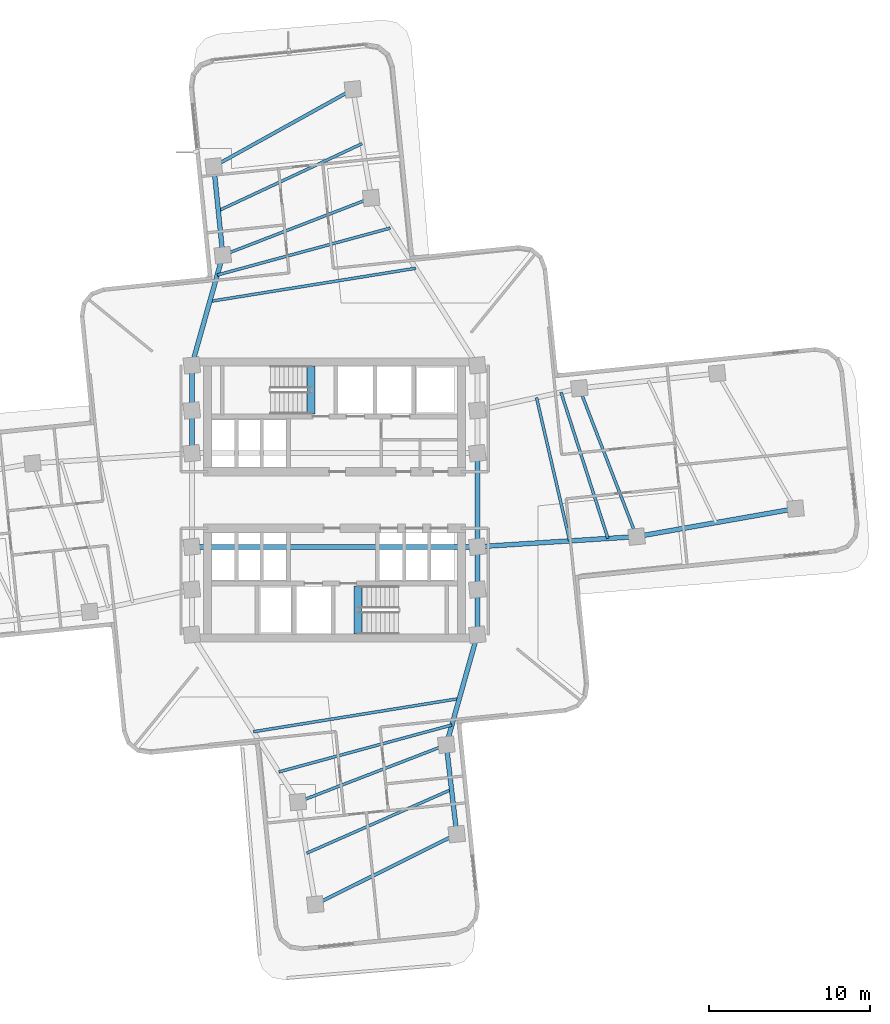
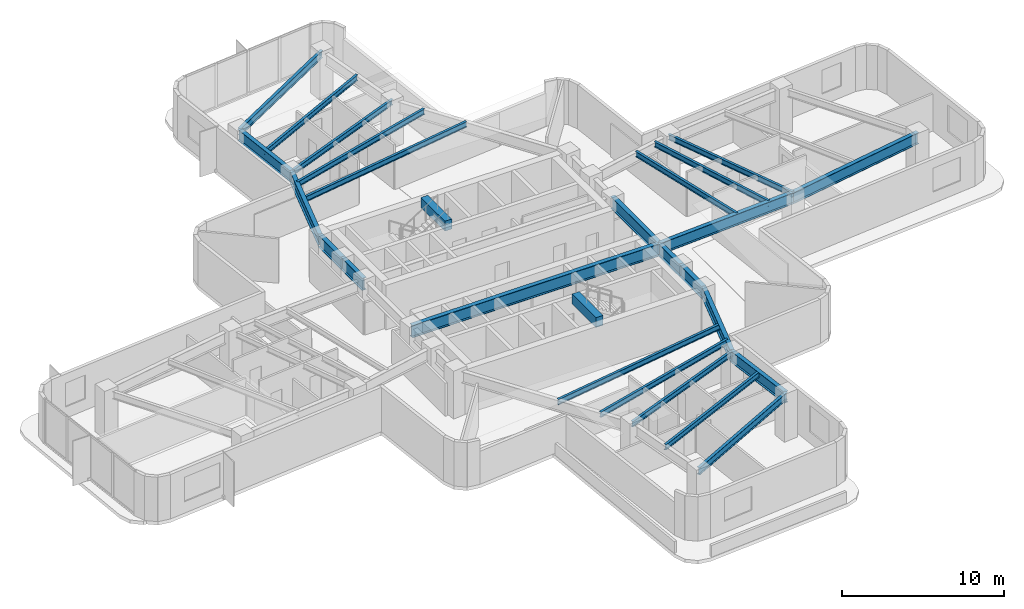
# One storey, part 3 of 14: 27 beams.
"""IFC4 building model written with IfcOpenShell, lengths in metres."""

import ifcopenshell
import ifcopenshell.guid

model = None  # the IFC model being written
_history = None  # IfcOwnerHistory: only IFC2X3 demands one
_inside = {}  # id of a spatial element -> (the spatial element, [elements in it])
_under = {}  # id of a project, library or spatial element -> (it, [spatial elements below it])
_declared = {}  # id of a project -> (the project, [libraries it declares])
_typed = {}  # id of a type object -> (the type object, [elements of that type])
_made_of = {}  # id of a material, layer set ... -> (it, [elements and type objects made of it])


def new_model(schema):
    """Start an empty IFC model of exactly this schema.

    Asked for "IFC4X3", IfcOpenShell would pick the latest addendum, in which some entities
    have other attributes; the version numbers below select the first issue.
    IFC2X3 requires an IfcOwnerHistory on every rooted entity: one is made here for all.
    """
    global model, _history
    if schema == "IFC4X3":
        model = ifcopenshell.file(schema_version=(4, 3, 0, 0))
    else:
        model = ifcopenshell.file(schema=schema)
    _inside.clear()
    _under.clear()
    _declared.clear()
    _typed.clear()
    _made_of.clear()
    _history = None
    if model.schema == "IFC2X3":
        org = make("IfcOrganization", Name="unknown")
        user = make(
            "IfcPersonAndOrganization",
            ThePerson=make("IfcPerson", FamilyName="unknown"),
            TheOrganization=org,
        )
        app = make(
            "IfcApplication",
            ApplicationDeveloper=org,
            Version="unknown",
            ApplicationFullName="unknown",
            ApplicationIdentifier="unknown",
        )
        _history = make(
            "IfcOwnerHistory",
            OwningUser=user,
            OwningApplication=app,
            ChangeAction="ADDED",
            CreationDate=0,
        )
    return model


def make(cls, **values):
    """One entity of the class cls with the attributes given. An attribute that is None is left unset."""
    return model.create_entity(
        cls, **{name: value for name, value in values.items() if value is not None}
    )


def rooted(cls, **values):
    """An entity with a GlobalId (a new one), such as an element, a storey or a relation."""
    return make(cls, GlobalId=ifcopenshell.guid.new(), OwnerHistory=_history, **values)


def si_unit(unit_type, name, prefix=None):
    """IfcSIUnit, for example si_unit("LENGTHUNIT", "METRE", prefix="MILLI")."""
    return make("IfcSIUnit", UnitType=unit_type, Prefix=prefix, Name=name)


def assignment(units):
    """IfcUnitAssignment: the units of a project."""
    return None if units is None else make("IfcUnitAssignment", Units=units)


def point(xyz):
    """IfcCartesianPoint."""
    return None if xyz is None else make("IfcCartesianPoint", Coordinates=xyz)


def direction(xyz):
    """IfcDirection."""
    return None if xyz is None else make("IfcDirection", DirectionRatios=xyz)


def frame(location, z_axis=None, x_axis=None):
    """IfcAxis2Placement3D, a coordinate frame: its origin and axes. An axis left out is left unset."""
    return make(
        "IfcAxis2Placement3D",
        Location=point(location),
        Axis=direction(z_axis),
        RefDirection=direction(x_axis),
    )


def frame_2d(location, x_axis=None):
    """IfcAxis2Placement2D, a coordinate frame in the plane: its origin and x axis."""
    return make(
        "IfcAxis2Placement2D", Location=point(location), RefDirection=direction(x_axis)
    )


def origin():
    """The frame at (0, 0, 0) with its axes left unset."""
    return frame((0.0, 0.0, 0.0))


def origin_2d():
    """The frame at (0, 0) in the plane with its x axis left unset."""
    return frame_2d((0.0, 0.0))


def place(relative_to, where):
    """IfcLocalPlacement: puts the frame where relative to a parent placement (None: the world)."""
    return make(
        "IfcLocalPlacement", PlacementRelTo=relative_to, RelativePlacement=where
    )


def context(
    kind, dimensions, precision=None, world=None, true_north=None, identifier=None
):
    """IfcGeometricRepresentationContext, for example the 3D "Model" context."""
    return make(
        "IfcGeometricRepresentationContext",
        ContextIdentifier=identifier,
        ContextType=kind,
        CoordinateSpaceDimension=dimensions,
        Precision=precision,
        WorldCoordinateSystem=world,
        TrueNorth=true_north,
    )


def subcontext(parent, identifier, kind, view, scale=None):
    """IfcGeometricRepresentationSubContext, for example "Body" below "Model"."""
    return make(
        "IfcGeometricRepresentationSubContext",
        ContextIdentifier=identifier,
        ContextType=kind,
        ParentContext=parent,
        TargetScale=scale,
        TargetView=view,
    )


def project(units=None, contexts=None):
    """IfcProject with its units and contexts."""
    return rooted(
        "IfcProject",
        Name="project",
        RepresentationContexts=contexts,
        UnitsInContext=assignment(units),
    )


def spatial(cls, under=None, at=None, **own):
    """A site, building, storey or space (cls), placed at a placement, below another one or the project."""
    s = rooted(cls, ObjectPlacement=at, **own)
    if under is not None:
        _under.setdefault(under.id(), (under, []))[1].append(s)
    return s


def profile(cls, at=None, kind="AREA", **sizes):
    """A parametric profile (cls). Its sizes go by their IFC names, for example OverallWidth=200.0."""
    return make(cls, ProfileType=kind, Position=at, **sizes)


def rectangle(**sizes):
    """IfcRectangleProfileDef."""
    return profile("IfcRectangleProfileDef", **sizes)


def i_section(**sizes):
    """IfcIShapeProfileDef."""
    return profile("IfcIShapeProfileDef", **sizes)


def extrude(swept, where, along, depth):
    """IfcExtrudedAreaSolid: the profile swept, set in the frame where, extruded along a direction by depth."""
    return make(
        "IfcExtrudedAreaSolid",
        SweptArea=swept,
        Position=where,
        ExtrudedDirection=direction(along),
        Depth=depth,
    )


def shape(context_of_items, identifier, shape_type, items):
    """IfcShapeRepresentation: the items that make up one representation, for example the "Body"."""
    return make(
        "IfcShapeRepresentation",
        ContextOfItems=context_of_items,
        RepresentationIdentifier=identifier,
        RepresentationType=shape_type,
        Items=items,
    )


def material(Name=None, Category=None):
    """IfcMaterial."""
    return make("IfcMaterial", Name=Name, Category=Category)


def material_profile(
    of_material, cross_section, Name=None, Category=None, Priority=None
):
    """IfcMaterialProfile: a cross section and its material."""
    return make(
        "IfcMaterialProfile",
        Name=Name,
        Material=of_material,
        Profile=cross_section,
        Priority=Priority,
        Category=Category,
    )


def profile_set(profiles, Name=None, composite=None):
    """IfcMaterialProfileSet."""
    return make(
        "IfcMaterialProfileSet",
        Name=Name,
        MaterialProfiles=profiles,
        CompositeProfile=composite,
    )


def made_of(thing, what):
    """Note that an element or type object is made of a material, layer set ...; save() writes the relation."""
    if what is not None:
        _made_of.setdefault(what.id(), (what, []))[1].append(thing)
    return thing


def type_object(cls, material=None, **own):
    """A type object (cls), such as IfcWallType, which elements share."""
    return made_of(rooted(cls, **own), material)


def element(
    cls,
    number,
    at=None,
    inside=None,
    cuts=None,
    type_object=None,
    material=None,
    context=None,
    identifier="Body",
    shape_type=None,
    held_by="IfcProductDefinitionShape",
    body=None,
    shapes=None,
    **own,
):
    """One element of the class cls, such as IfcWall. Its Tag is "e" and its number.

    at: its placement. inside: the storey or other place that contains it. cuts: it is an
    opening in that element (IfcRelVoidsElement). A single representation is given by context,
    identifier, shape_type and body (its items); several are given by shapes. held_by: the class
    of the entity that holds the representations. save() writes the other relations.
    """
    e = rooted(cls, Tag="e%d" % number, ObjectPlacement=at, **own)
    if body is not None:
        shapes = [shape(context, identifier, shape_type, body)]
    if shapes is not None:
        e.Representation = make(held_by, Representations=shapes)
    if inside is not None:
        _inside.setdefault(inside.id(), (inside, []))[1].append(e)
    if cuts is not None:
        rooted(
            "IfcRelVoidsElement", RelatingBuildingElement=cuts, RelatedOpeningElement=e
        )
    if type_object is not None:
        _typed.setdefault(type_object.id(), (type_object, []))[1].append(e)
    return made_of(e, material)


def aggregate(whole, parts):
    """IfcRelAggregates: a whole, such as a stair, and the parts it consists of."""
    return rooted("IfcRelAggregates", RelatingObject=whole, RelatedObjects=parts)


def save(model, path):
    """Write the relations noted so far, then the file.

    IfcRelAggregates (storeys below a building ...), IfcRelContainedInSpatialStructure (elements
    in a storey), IfcRelDefinesByType, IfcRelAssociatesMaterial and IfcRelDeclares: one each for
    every whole, place, type object, material and project.
    """
    for whole, parts in _under.values():
        aggregate(whole, parts)
    for where, things in _inside.values():
        rooted(
            "IfcRelContainedInSpatialStructure",
            RelatedElements=things,
            RelatingStructure=where,
        )
    for kind, things in _typed.values():
        rooted("IfcRelDefinesByType", RelatedObjects=things, RelatingType=kind)
    for what, things in _made_of.values():
        rooted("IfcRelAssociatesMaterial", RelatedObjects=things, RelatingMaterial=what)
    for by, libraries in _declared.values():
        rooted("IfcRelDeclares", RelatingContext=by, RelatedDefinitions=libraries)
    model.write(path)


model = new_model("IFC4")

# Units and contexts
model_context = context("Model", 3, precision=1e-05, world=origin(), true_north=direction((0.0, 1.0)))
body_context = subcontext(model_context, "Body", "Model", "MODEL_VIEW")
ifc_project = project(units=[si_unit("LENGTHUNIT", "METRE"), si_unit("AREAUNIT", "SQUARE_METRE"), si_unit("VOLUMEUNIT", "CUBIC_METRE"), si_unit("PLANEANGLEUNIT", "RADIAN"), si_unit("MASSUNIT", "GRAM", prefix="KILO")], contexts=[model_context])

# Site, building, storey
site_placement = place(None, origin())
site = spatial("IfcSite", under=ifc_project, at=site_placement, CompositionType="ELEMENT")
building_placement = place(site_placement, origin())
building = spatial("IfcBuilding", under=site, at=building_placement, Name="Solmarez Civic Tower", CompositionType="ELEMENT")
storey_placement = place(building_placement, frame((0.0, 0.0, 67.679931640625)))
storey = spatial("IfcBuildingStorey", under=building, at=storey_placement, Name="L17", CompositionType="ELEMENT", Elevation=67.679931640625)

# Beams
ifc_material_1 = material(Name="Steel S355", Category="steel")
ifc_material_profile_1 = material_profile(ifc_material_1, i_section(OverallWidth=0.178955078125, OverallDepth=0.409912109375, WebThickness=0.0087890625, FlangeThickness=0.014404296875, at=origin_2d()), Name="W16X45")
ifc_profile_set_1 = profile_set([ifc_material_profile_1], Name="Steel S355")
beam_type_1 = type_object("IfcBeamType", Name="BM-JS-W16X45", PredefinedType="JOIST", material=ifc_profile_set_1)
beam_1_placement = place(storey_placement, frame((18.72412109375, -2.27099609375, 3.135009765625), z_axis=(-0.359984466214, 0.932958297077, 0.0), x_axis=(-0.932958297077, -0.359984466214, 0.0)))
element("IfcBeam", 1, at=beam_1_placement, inside=storey, type_object=beam_type_1, Name="L17 Secondary Floor Joist BM-L17-EA-T1", PredefinedType="JOIST", context=body_context, shape_type="SweptSolid", body=[
    extrude(i_section(OverallWidth=0.178955078125, OverallDepth=0.409912109375, WebThickness=0.0087890625, FlangeThickness=0.014404296875, at=origin_2d()), origin(), (0.0, 0.0, 1.0), 9.85888671875),
])
beam_2_placement = place(storey_placement, frame((14.576904296875, -2.534912109375, 3.135009765625), z_axis=(-0.225762717226, 0.974182321494, 0.0), x_axis=(-0.974182321494, -0.225762717226, 0.0)))
element("IfcBeam", 2, at=beam_2_placement, inside=storey, type_object=beam_type_1, Name="L17 Secondary Floor Joist JS-L17-EA-M11", PredefinedType="JOIST", context=body_context, shape_type="SweptSolid", body=[
    extrude(i_section(OverallWidth=0.178955078125, OverallDepth=0.409912109375, WebThickness=0.0087890625, FlangeThickness=0.014404296875, at=origin_2d()), origin(), (0.0, 0.0, 1.0), 9.119384765625),
])
beam_3_placement = place(storey_placement, frame((16.947021484375, -2.384033203125, 3.135009765625), z_axis=(-0.305705295997, 0.952126184914, 0.0), x_axis=(-0.952126184914, -0.305705295997, 0.0)))
element("IfcBeam", 3, at=beam_3_placement, inside=storey, type_object=beam_type_1, Name="L17 Secondary Floor Joist JS-L17-EA-M12", PredefinedType="JOIST", context=body_context, shape_type="SweptSolid", body=[
    extrude(i_section(OverallWidth=0.178955078125, OverallDepth=0.409912109375, WebThickness=0.0087890625, FlangeThickness=0.014404296875, at=origin_2d()), origin(), (0.0, 0.0, 1.0), 9.518798828125),
])
beam_4_placement = place(storey_placement, frame((2.27099609375, 18.72412109375, 3.135009765625), z_axis=(-0.932958297077, -0.359984466214, 0.0), x_axis=(0.359984466214, -0.932958297077, 0.0)))
element("IfcBeam", 4, at=beam_4_placement, inside=storey, type_object=beam_type_1, Name="L17 Secondary Floor Joist BM-L17-NA-T1", PredefinedType="JOIST", context=body_context, shape_type="SweptSolid", body=[
    extrude(i_section(OverallWidth=0.178955078125, OverallDepth=0.409912109375, WebThickness=0.0087890625, FlangeThickness=0.014404296875, at=origin_2d()), origin(), (0.0, 0.0, 1.0), 9.85888671875),
])
beam_5_placement = place(storey_placement, frame((1.705078125, 22.090087890625, 3.135009765625), z_axis=(-0.906041066986, -0.423189774138, 0.0), x_axis=(0.423189774138, -0.906041066986, 0.0)))
element("IfcBeam", 5, at=beam_5_placement, inside=storey, type_object=beam_type_1, Name="L17 Secondary Floor Joist JS-L17-NA-M2", PredefinedType="JOIST", context=body_context, shape_type="SweptSolid", body=[
    extrude(i_section(OverallWidth=0.178955078125, OverallDepth=0.409912109375, WebThickness=0.0087890625, FlangeThickness=0.014404296875, at=origin_2d()), origin(), (0.0, 0.0, 1.0), 9.83740234375),
])
beam_6_placement = place(storey_placement, frame((5.033935546875, 14.366943359375, 3.135009765625), z_axis=(-0.987261309887, -0.159107215423, 0.0), x_axis=(0.159107215423, -0.987261309887, 0.0)))
element("IfcBeam", 6, at=beam_6_placement, inside=storey, type_object=beam_type_1, Name="L17 Secondary Floor Joist JS-L17-NA-M11", PredefinedType="JOIST", context=body_context, shape_type="SweptSolid", body=[
    extrude(i_section(OverallWidth=0.178955078125, OverallDepth=0.409912109375, WebThickness=0.0087890625, FlangeThickness=0.014404296875, at=origin_2d()), origin(), (0.0, 0.0, 1.0), 12.933837890625),
])
beam_7_placement = place(storey_placement, frame((3.455078125, 16.85693359375, 3.135009765625), z_axis=(-0.965126314795, -0.261784637614, 0.0), x_axis=(0.261784637614, -0.965126314795, 0.0)))
element("IfcBeam", 7, at=beam_7_placement, inside=storey, type_object=beam_type_1, Name="L17 Secondary Floor Joist JS-L17-NA-M12", PredefinedType="JOIST", context=body_context, shape_type="SweptSolid", body=[
    extrude(i_section(OverallWidth=0.178955078125, OverallDepth=0.409912109375, WebThickness=0.0087890625, FlangeThickness=0.014404296875, at=origin_2d()), origin(), (0.0, 0.0, 1.0), 11.11572265625),
])
beam_8_placement = place(storey_placement, frame((-2.27099609375, -18.72412109375, 3.135009765625), z_axis=(0.932958297077, 0.359984466214, 0.0), x_axis=(-0.359984466214, 0.932958297077, 0.0)))
element("IfcBeam", 8, at=beam_8_placement, inside=storey, type_object=beam_type_1, Name="L17 Secondary Floor Joist BM-L17-SA-T1", PredefinedType="JOIST", context=body_context, shape_type="SweptSolid", body=[
    extrude(i_section(OverallWidth=0.178955078125, OverallDepth=0.409912109375, WebThickness=0.0087890625, FlangeThickness=0.014404296875, at=origin_2d()), origin(), (0.0, 0.0, 1.0), 9.85888671875),
])
beam_9_placement = place(storey_placement, frame((-1.73291015625, -21.89892578125, 3.135009765625), z_axis=(0.915226616427, 0.402939499905, 0.0), x_axis=(-0.402939499905, 0.915226616427, 0.0)))
element("IfcBeam", 9, at=beam_9_placement, inside=storey, type_object=beam_type_1, Name="L17 Secondary Floor Joist JS-L17-SA-M2", PredefinedType="JOIST", context=body_context, shape_type="SweptSolid", body=[
    extrude(i_section(OverallWidth=0.178955078125, OverallDepth=0.409912109375, WebThickness=0.0087890625, FlangeThickness=0.014404296875, at=origin_2d()), origin(), (0.0, 0.0, 1.0), 9.81494140625),
])
beam_10_placement = place(storey_placement, frame((-5.033935546875, -14.366943359375, 3.135009765625), z_axis=(0.987261309887, 0.159107215423, 0.0), x_axis=(-0.159107215423, 0.987261309887, 0.0)))
element("IfcBeam", 10, at=beam_10_placement, inside=storey, type_object=beam_type_1, Name="L17 Secondary Floor Joist JS-L17-SA-M11", PredefinedType="JOIST", context=body_context, shape_type="SweptSolid", body=[
    extrude(i_section(OverallWidth=0.178955078125, OverallDepth=0.409912109375, WebThickness=0.0087890625, FlangeThickness=0.014404296875, at=origin_2d()), origin(), (0.0, 0.0, 1.0), 12.933837890625),
])
beam_11_placement = place(storey_placement, frame((-3.455078125, -16.85693359375, 3.135009765625), z_axis=(0.965126314795, 0.261784637614, 0.0), x_axis=(-0.261784637614, 0.965126314795, 0.0)))
element("IfcBeam", 11, at=beam_11_placement, inside=storey, type_object=beam_type_1, Name="L17 Secondary Floor Joist JS-L17-SA-M12", PredefinedType="JOIST", context=body_context, shape_type="SweptSolid", body=[
    extrude(i_section(OverallWidth=0.178955078125, OverallDepth=0.409912109375, WebThickness=0.0087890625, FlangeThickness=0.014404296875, at=origin_2d()), origin(), (0.0, 0.0, 1.0), 11.11572265625),
])
ifc_material_2 = material(Name="Concrete C50/60", Category="concrete")
ifc_material_profile_2 = material_profile(ifc_material_2, rectangle(XDim=0.5, YDim=0.75, at=origin_2d()), Name="RC500X750")
ifc_profile_set_2 = profile_set([ifc_material_profile_2], Name="Concrete C50/60")
beam_type_2 = type_object("IfcBeamType", Name="BM-PR-RC500X750", PredefinedType="BEAM", material=ifc_profile_set_2)
for number, where, z_axis, x_axis, name in (
    (12, (-1.449951171875, 5.340087890625, 3.233154296875), (0.0, 1.0, 0.0), (-1.0, 0.0, 0.0), "L17 North Stair Threshold Beam"),
    (13, (1.449951171875, -8.300048828125, 3.233154296875), (0.0, 1.0, 0.0), (-1.0, 0.0, 0.0), "L17 South Stair Threshold Beam"),
):
    element("IfcBeam", number, at=place(storey_placement, frame(where, z_axis=z_axis, x_axis=x_axis)), inside=storey, type_object=beam_type_2, Name=name, PredefinedType="BEAM", context=body_context, shape_type="SweptSolid", body=[
        extrude(rectangle(XDim=0.5, YDim=0.75, at=origin_2d()), origin(), (0.0, 0.0, 1.0), 2.9599609375),
    ])
ifc_material_profile_3 = material_profile(ifc_material_1, i_section(OverallWidth=0.2919921875, OverallDepth=0.845947265625, WebThickness=0.015380859375, FlangeThickness=0.0244140625, at=origin_2d()), Name="W33X141")
ifc_profile_set_3 = profile_set([ifc_material_profile_3], Name="Steel S355")
beam_type_3 = type_object("IfcBeamType", Name="BM-PR-W33X141", PredefinedType="BEAM", material=ifc_profile_set_3)
beam_12_placement = place(storey_placement, frame((8.85009765625, -2.89990234375, 2.9169921875), z_axis=(0.997977751208, 0.063564204508, 0.0), x_axis=(-0.063564204508, 0.997977751208, 0.0)))
element("IfcBeam", 14, at=beam_12_placement, inside=storey, type_object=beam_type_3, Name="L17 Primary Floor Beam BM-L17-EA-R1A", PredefinedType="BEAM", context=body_context, shape_type="SweptSolid", body=[
    extrude(i_section(OverallWidth=0.2919921875, OverallDepth=0.845947265625, WebThickness=0.015380859375, FlangeThickness=0.0244140625, at=origin_2d()), origin(), (0.0, 0.0, 1.0), 9.89404296875),
])
beam_13_placement = place(storey_placement, frame((18.72412109375, -2.27099609375, 2.9169921875), z_axis=(0.984792402105, 0.173735214497, 0.0), x_axis=(-0.173735214497, 0.984792402105, 0.0)))
element("IfcBeam", 15, at=beam_13_placement, inside=storey, type_object=beam_type_3, Name="L17 Primary Floor Beam BM-L17-EA-R2A", PredefinedType="BEAM", context=body_context, shape_type="SweptSolid", body=[
    extrude(i_section(OverallWidth=0.2919921875, OverallDepth=0.845947265625, WebThickness=0.015380859375, FlangeThickness=0.0244140625, at=origin_2d()), origin(), (0.0, 0.0, 1.0), 10.00390625),
])
beam_14_placement = place(storey_placement, frame((-8.85009765625, 8.35009765625, 2.9169921875), z_axis=(0.271213183726, 0.962519303169, 0.0), x_axis=(-0.962519303169, 0.271213183726, 0.0)))
element("IfcBeam", 16, at=beam_14_placement, inside=storey, type_object=beam_type_3, Name="L17 Primary Floor Beam BM-L17-NA-R1B", PredefinedType="BEAM", context=body_context, shape_type="SweptSolid", body=[
    extrude(i_section(OverallWidth=0.2919921875, OverallDepth=0.845947265625, WebThickness=0.015380859375, FlangeThickness=0.0244140625, at=origin_2d()), origin(), (0.0, 0.0, 1.0), 7.0908203125),
])
beam_15_placement = place(storey_placement, frame((-6.927001953125, 15.175048828125, 2.9169921875), z_axis=(-0.101583208843, 0.994827046115, 0.0), x_axis=(-0.994827046115, -0.101583208843, 0.0)))
element("IfcBeam", 17, at=beam_15_placement, inside=storey, type_object=beam_type_3, Name="L17 Primary Floor Beam BM-L17-NA-R2B", PredefinedType="BEAM", context=body_context, shape_type="SweptSolid", body=[
    extrude(i_section(OverallWidth=0.2919921875, OverallDepth=0.845947265625, WebThickness=0.015380859375, FlangeThickness=0.0244140625, at=origin_2d()), origin(), (0.0, 0.0, 1.0), 5.532470703125),
])
beam_16_placement = place(storey_placement, frame((8.85009765625, -8.35009765625, 2.9169921875), z_axis=(-0.271213183726, -0.962519303169, 0.0), x_axis=(0.962519303169, -0.271213183726, 0.0)))
element("IfcBeam", 18, at=beam_16_placement, inside=storey, type_object=beam_type_3, Name="L17 Primary Floor Beam BM-L17-SA-R1B", PredefinedType="BEAM", context=body_context, shape_type="SweptSolid", body=[
    extrude(i_section(OverallWidth=0.2919921875, OverallDepth=0.845947265625, WebThickness=0.015380859375, FlangeThickness=0.0244140625, at=origin_2d()), origin(), (0.0, 0.0, 1.0), 7.0908203125),
])
beam_17_placement = place(storey_placement, frame((6.927001953125, -15.175048828125, 2.9169921875), z_axis=(0.11601314993, -0.993247677593, 0.0), x_axis=(0.993247677593, 0.11601314993, 0.0)))
element("IfcBeam", 19, at=beam_17_placement, inside=storey, type_object=beam_type_3, Name="L17 Primary Floor Beam BM-L17-SA-R2B", PredefinedType="BEAM", context=body_context, shape_type="SweptSolid", body=[
    extrude(i_section(OverallWidth=0.2919921875, OverallDepth=0.845947265625, WebThickness=0.015380859375, FlangeThickness=0.0244140625, at=origin_2d()), origin(), (0.0, 0.0, 1.0), 5.57666015625),
])
ifc_material_profile_4 = material_profile(ifc_material_1, i_section(OverallWidth=0.306884765625, OverallDepth=0.927001953125, WebThickness=0.019287109375, FlangeThickness=0.031982421875, at=origin_2d()), Name="W36X194")
ifc_profile_set_4 = profile_set([ifc_material_profile_4], Name="Steel S355")
beam_type_4 = type_object("IfcBeamType", Name="BM-PR-W36X194", PredefinedType="BEAM", material=ifc_profile_set_4)
beam_18_placement = place(storey_placement, frame((-8.85009765625, 2.89990234375, 2.8759765625), z_axis=(0.0, 1.0, 0.0), x_axis=(-1.0, 0.0, 0.0)))
element("IfcBeam", 20, at=beam_18_placement, inside=storey, type_object=beam_type_4, Name="L17 Primary Floor Beam BM-L17-HC3-HC4", PredefinedType="BEAM", context=body_context, shape_type="SweptSolid", body=[
    extrude(i_section(OverallWidth=0.306884765625, OverallDepth=0.927001953125, WebThickness=0.019287109375, FlangeThickness=0.031982421875, at=origin_2d()), origin(), (0.0, 0.0, 1.0), 2.650146484375),
])
for number, where, z_axis, x_axis, name in (
    (21, (-8.85009765625, 5.550048828125, 2.8759765625), (0.0, 1.0, 0.0), (-1.0, 0.0, 0.0), "L17 Primary Floor Beam BM-L17-HC4-HC9"),
    (22, (8.85009765625, -8.35009765625, 2.8759765625), (0.0, 1.0, 0.0), (-1.0, 0.0, 0.0), "L17 Primary Floor Beam BM-L17-HC10-HC5"),
):
    element("IfcBeam", number, at=place(storey_placement, frame(where, z_axis=z_axis, x_axis=x_axis)), inside=storey, type_object=beam_type_4, Name=name, PredefinedType="BEAM", context=body_context, shape_type="SweptSolid", body=[
        extrude(i_section(OverallWidth=0.306884765625, OverallDepth=0.927001953125, WebThickness=0.019287109375, FlangeThickness=0.031982421875, at=origin_2d()), origin(), (0.0, 0.0, 1.0), 2.800048828125),
    ])
beam_19_placement = place(storey_placement, frame((8.85009765625, -5.550048828125, 2.8759765625), z_axis=(0.0, 1.0, 0.0), x_axis=(-1.0, 0.0, 0.0)))
element("IfcBeam", 23, at=beam_19_placement, inside=storey, type_object=beam_type_4, Name="L17 Primary Floor Beam BM-L17-HC5-HC6", PredefinedType="BEAM", context=body_context, shape_type="SweptSolid", body=[
    extrude(i_section(OverallWidth=0.306884765625, OverallDepth=0.927001953125, WebThickness=0.019287109375, FlangeThickness=0.031982421875, at=origin_2d()), origin(), (0.0, 0.0, 1.0), 2.650146484375),
])
beam_20_placement = place(storey_placement, frame((8.85009765625, -2.89990234375, 2.8759765625), z_axis=(0.0, 1.0, 0.0), x_axis=(-1.0, 0.0, 0.0)))
element("IfcBeam", 24, at=beam_20_placement, inside=storey, type_object=beam_type_4, Name="L17 Primary Floor Beam BM-L17-HC6-HC7", PredefinedType="BEAM", context=body_context, shape_type="SweptSolid", body=[
    extrude(i_section(OverallWidth=0.306884765625, OverallDepth=0.927001953125, WebThickness=0.019287109375, FlangeThickness=0.031982421875, at=origin_2d()), origin(), (0.0, 0.0, 1.0), 5.7998046875),
])
beam_21_placement = place(storey_placement, frame((-8.85009765625, -2.89990234375, 2.8759765625), z_axis=(1.0, 0.0, 0.0), x_axis=(0.0, 1.0, 0.0)))
element("IfcBeam", 25, at=beam_21_placement, inside=storey, type_object=beam_type_4, Name="L17 Primary Floor Beam BM-L17-HC2-HC6", PredefinedType="BEAM", context=body_context, shape_type="SweptSolid", body=[
    extrude(i_section(OverallWidth=0.306884765625, OverallDepth=0.927001953125, WebThickness=0.019287109375, FlangeThickness=0.031982421875, at=origin_2d()), origin(), (0.0, 0.0, 1.0), 17.7001953125),
])
ifc_material_profile_5 = material_profile(ifc_material_1, i_section(OverallWidth=0.2109375, OverallDepth=0.5390625, WebThickness=0.01171875, FlangeThickness=0.018798828125, at=origin_2d()), Name="W21X73")
ifc_profile_set_5 = profile_set([ifc_material_profile_5], Name="Steel S355")
beam_type_5 = type_object("IfcBeamType", Name="BM-SP-W21X73", PredefinedType="SPANDREL", material=ifc_profile_set_5)
beam_22_placement = place(storey_placement, frame((1.138916015625, 25.45703125, 3.071044921875), z_axis=(-0.874811531682, -0.484463398035, 0.0), x_axis=(0.484463398035, -0.874811531682, 0.0)))
element("IfcBeam", 26, at=beam_22_placement, inside=storey, type_object=beam_type_5, Name="L17 Perimeter Spandrel Beam BM-L17-NA-T2", PredefinedType="SPANDREL", context=body_context, shape_type="SweptSolid", body=[
    extrude(i_section(OverallWidth=0.2109375, OverallDepth=0.5390625, WebThickness=0.01171875, FlangeThickness=0.018798828125, at=origin_2d()), origin(), (0.0, 0.0, 1.0), 9.862548828125),
])
beam_23_placement = place(storey_placement, frame((-1.195068359375, -25.073974609375, 3.071044921875), z_axis=(0.895432090654, 0.445198125589, 0.0), x_axis=(-0.445198125589, 0.895432090654, 0.0)))
element("IfcBeam", 27, at=beam_23_placement, inside=storey, type_object=beam_type_5, Name="L17 Perimeter Spandrel Beam BM-L17-SA-T2", PredefinedType="SPANDREL", context=body_context, shape_type="SweptSolid", body=[
    extrude(i_section(OverallWidth=0.2109375, OverallDepth=0.5390625, WebThickness=0.01171875, FlangeThickness=0.018798828125, at=origin_2d()), origin(), (0.0, 0.0, 1.0), 9.79296875),
])

save(model, "model.ifc")
